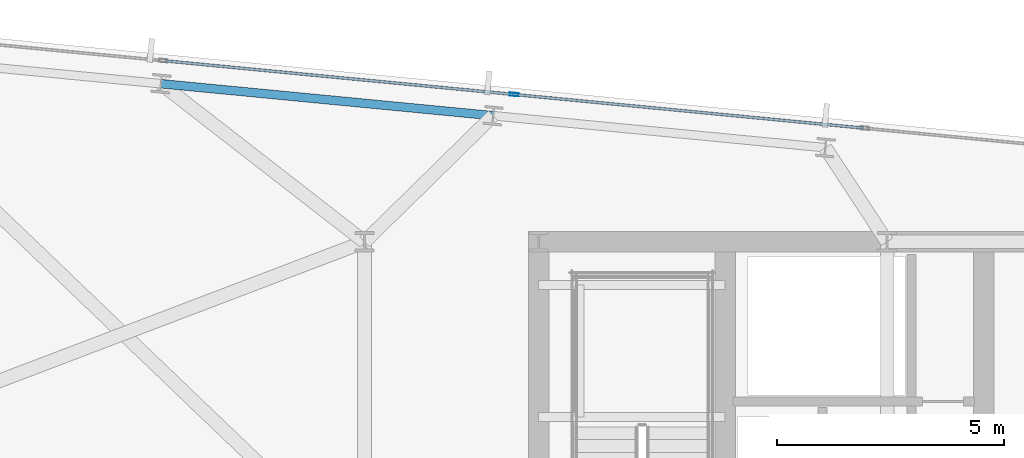
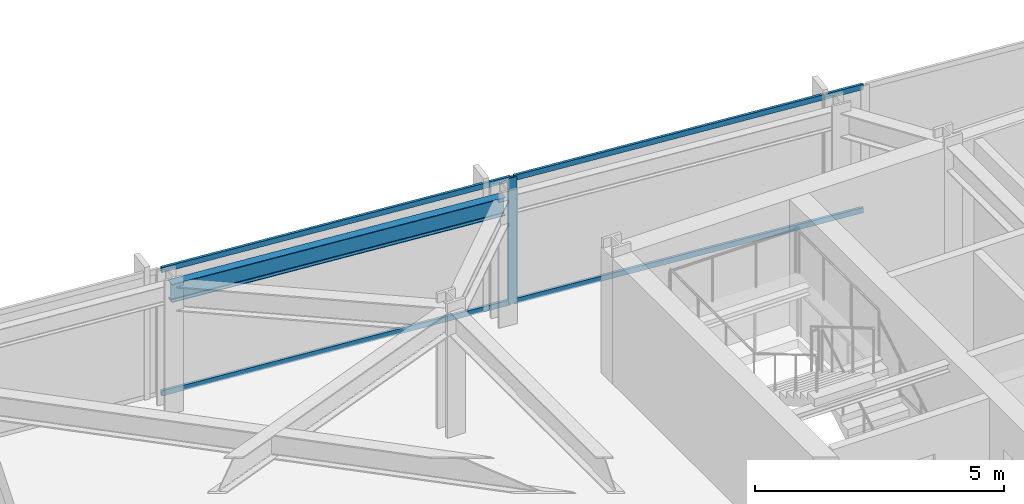
# One storey, part 25 of 37: 5 members, 1 beam, 1 element without a shape of its own.
"""IFC4 building model written with IfcOpenShell, lengths in metres."""

from ifc_helpers import new_model, si_unit, direction, frame, origin, origin_2d, place, context, subcontext, project, spatial, hollow_rectangle, i_section, extrude, material, material_profile, profile_set, type_object, element, aggregate, save


model = new_model("IFC4")

# Units and contexts
model_context = context("Model", 3, precision=1e-05, world=origin(), true_north=direction((0.0, 1.0)))
body_context = subcontext(model_context, "Body", "Model", "MODEL_VIEW")
ifc_project = project(units=[si_unit("LENGTHUNIT", "METRE"), si_unit("AREAUNIT", "SQUARE_METRE"), si_unit("VOLUMEUNIT", "CUBIC_METRE"), si_unit("PLANEANGLEUNIT", "RADIAN"), si_unit("MASSUNIT", "GRAM", prefix="KILO")], contexts=[model_context])

# Site, building, storey
site_placement = place(None, origin())
site = spatial("IfcSite", under=ifc_project, at=site_placement, CompositionType="ELEMENT")
building_placement = place(site_placement, origin())
building = spatial("IfcBuilding", under=site, at=building_placement, Name="Yelkora Congress Tower", CompositionType="ELEMENT")
storey_placement = place(building_placement, frame((0.0, 0.0, 165.5)))
storey = spatial("IfcBuildingStorey", under=building, at=storey_placement, Name="L45", CompositionType="ELEMENT", Elevation=165.5)

# Beam
ifc_material_1 = material(Name="Steel S355J2", Category="steel")
ifc_material_profile_1 = material_profile(ifc_material_1, i_section(OverallWidth=0.18994140625, OverallDepth=0.449951171875, WebThickness=0.009521484375, FlangeThickness=0.0146484375, FilletRadius=0.02099609375, at=origin_2d()), Name="IPE 450")
ifc_profile_set_1 = profile_set([ifc_material_profile_1], Name="Steel S355J2")
beam_type = type_object("IfcBeamType", Name="BM-SPAN-IPE450", PredefinedType="SPANDREL", material=ifc_profile_set_1)
beam_placement = place(storey_placement, frame((22.035400390625, 48.980224609375, 2.85498046875), z_axis=(-0.995393938538, 0.095869218844, 0.0), x_axis=(-0.095869218844, -0.995393938538, 0.0)))
element("IfcBeam", 1, at=beam_placement, inside=storey, type_object=beam_type, Name="L45 Perimeter Beam 14", PredefinedType="SPANDREL", context=body_context, shape_type="SweptSolid", body=[
    extrude(i_section(OverallWidth=0.18994140625, OverallDepth=0.449951171875, WebThickness=0.009521484375, FlangeThickness=0.0146484375, FilletRadius=0.02099609375, at=origin_2d()), origin(), (0.0, 0.0, 1.0), 7.357177734375),
])

# Curtain wall, members
ifc_material_2 = material(Name="Anodised aluminium and insulated glass", Category="aluminium")
curtain_wall_type = type_object("IfcCurtainWallType", Name="CW-SYS-B3", PredefinedType="NOTDEFINED", material=ifc_material_2)
curtain_wall_placement = place(storey_placement, origin())
curtain_wall = element("IfcCurtainWall", 2, at=curtain_wall_placement, inside=storey, type_object=curtain_wall_type, Name="L45 Unitised Curtain Wall 10 (1)", PredefinedType="NOTDEFINED")
ifc_material_3 = material(Name="Anodised aluminium 6063-T6", Category="aluminium")
ifc_material_profile_2 = material_profile(ifc_material_3, hollow_rectangle(XDim=0.070068359375, YDim=0.18994140625, WallThickness=0.00390625, at=origin_2d()), Name="ALU 70x190x4")
ifc_profile_set_2 = profile_set([ifc_material_profile_2], Name="Anodised aluminium 6063-T6")
member_type_1 = type_object("IfcMemberType", Name="MEM-ML-B3", PredefinedType="MULLION", material=ifc_profile_set_2)
member_1_placement = place(storey_placement, frame((22.496826171875, 49.4482421875, 0.0), z_axis=(0.0, 0.0, 1.0), x_axis=(0.095844761168, 0.995396293823, 0.0)))
member_1 = element("IfcMember", 3, at=member_1_placement, type_object=member_type_1, Name="CW-B3 mullion 3", PredefinedType="MULLION", context=body_context, shape_type="SweptSolid", body=[
    extrude(hollow_rectangle(XDim=0.070068359375, YDim=0.18994140625, WallThickness=0.00390625, at=origin_2d()), origin(), (0.0, 0.0, 1.0), 3.080078125),
])
ifc_material_profile_3 = material_profile(ifc_material_3, hollow_rectangle(XDim=0.06005859375, YDim=0.1298828125, WallThickness=0.00390625, at=origin_2d()), Name="ALU 60x130x4")
ifc_profile_set_3 = profile_set([ifc_material_profile_3], Name="Anodised aluminium 6063-T6")
member_type_2 = type_object("IfcMemberType", Name="MEM-TR-B3", PredefinedType="USERDEFINED", material=ifc_profile_set_3)
member_2_placement = place(storey_placement, frame((14.798095703125, 50.189697265625, 0.030029296875), z_axis=(0.995395016973, -0.095858020971, 0.0), x_axis=(0.095858020971, 0.995395016973, 0.0)))
member_2 = element("IfcMember", 4, at=member_2_placement, type_object=member_type_2, Name="CW-B3 transom 2.1", ObjectType="TRANSOM", PredefinedType="USERDEFINED", context=body_context, shape_type="SweptSolid", body=[
    extrude(hollow_rectangle(XDim=0.06005859375, YDim=0.1298828125, WallThickness=0.00390625, at=origin_2d()), origin(), (0.0, 0.0, 1.0), 7.69921875),
])
member_3_placement = place(storey_placement, frame((14.798095703125, 50.189697265625, 3.050048828125), z_axis=(0.995395016973, -0.095858020971, 0.0), x_axis=(0.095858020971, 0.995395016973, 0.0)))
member_3 = element("IfcMember", 5, at=member_3_placement, type_object=member_type_2, Name="CW-B3 transom 2.2", ObjectType="TRANSOM", PredefinedType="USERDEFINED", context=body_context, shape_type="SweptSolid", body=[
    extrude(hollow_rectangle(XDim=0.06005859375, YDim=0.1298828125, WallThickness=0.00390625, at=origin_2d()), origin(), (0.0, 0.0, 1.0), 7.69921875),
])
member_4_placement = place(storey_placement, frame((22.531494140625, 49.44482421875, 0.030029296875), z_axis=(0.995398333273, -0.095823578082, 0.0), x_axis=(0.095823578082, 0.995398333273, 0.0)))
member_4 = element("IfcMember", 6, at=member_4_placement, type_object=member_type_2, Name="CW-B3 transom 3.1", ObjectType="TRANSOM", PredefinedType="USERDEFINED", context=body_context, shape_type="SweptSolid", body=[
    extrude(hollow_rectangle(XDim=0.06005859375, YDim=0.1298828125, WallThickness=0.00390625, at=origin_2d()), origin(), (0.0, 0.0, 1.0), 7.699462890625),
])
member_5_placement = place(storey_placement, frame((22.531494140625, 49.44482421875, 3.050048828125), z_axis=(0.995398333273, -0.095823578082, 0.0), x_axis=(0.095823578082, 0.995398333273, 0.0)))
member_5 = element("IfcMember", 7, at=member_5_placement, type_object=member_type_2, Name="CW-B3 transom 3.2", ObjectType="TRANSOM", PredefinedType="USERDEFINED", context=body_context, shape_type="SweptSolid", body=[
    extrude(hollow_rectangle(XDim=0.06005859375, YDim=0.1298828125, WallThickness=0.00390625, at=origin_2d()), origin(), (0.0, 0.0, 1.0), 7.699462890625),
])
aggregate(curtain_wall, [member_1, member_2, member_3, member_4, member_5])

save(model, "model.ifc")
